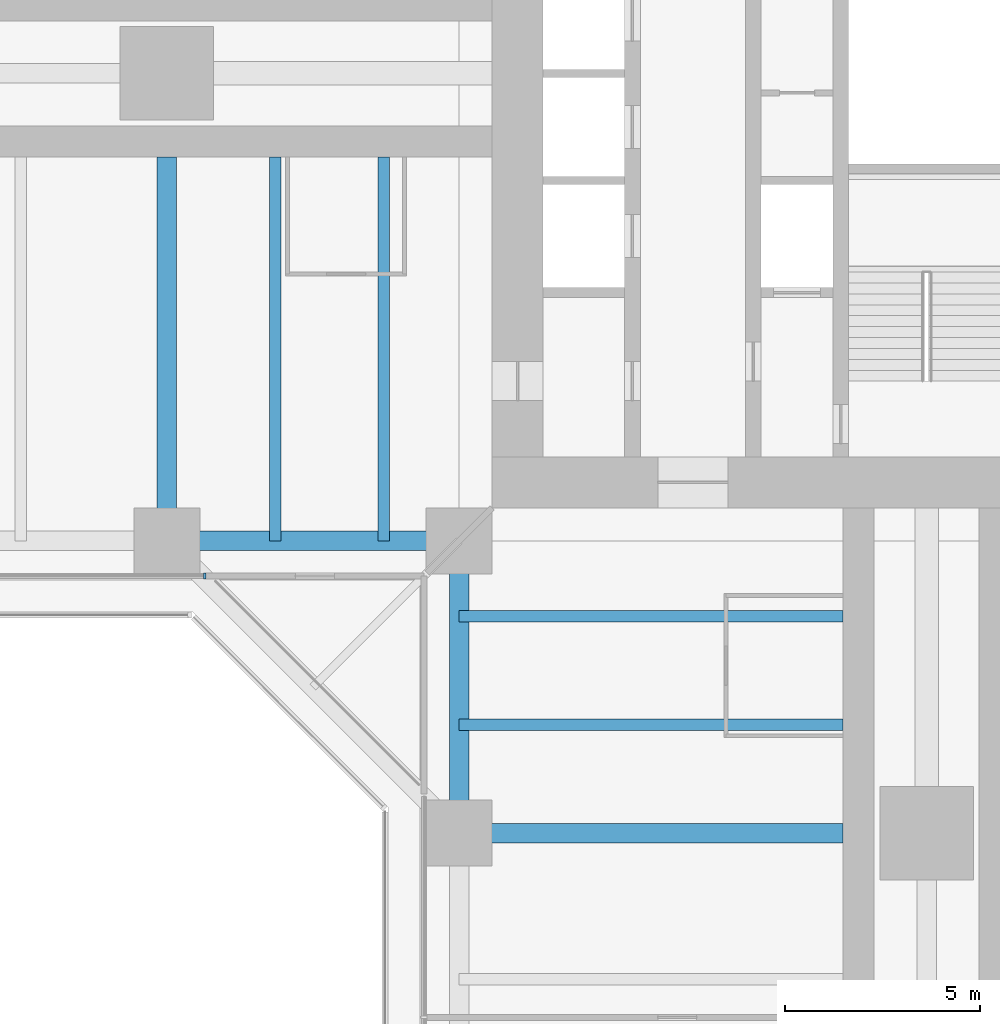
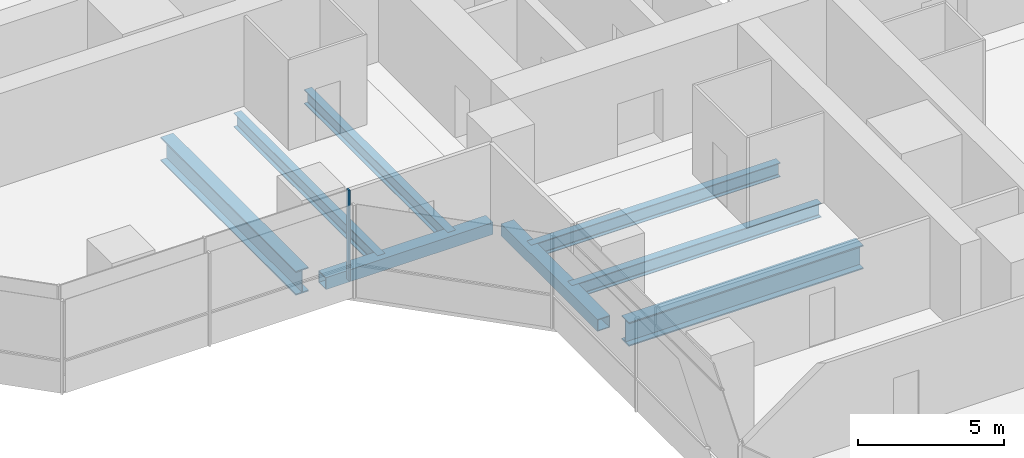
# One storey, part 4 of 22: 8 beams, 1 member, 1 element without a shape of its own.
"""IFC4 building model written with IfcOpenShell, lengths in metres."""

from ifc_helpers import new_model, si_unit, direction, frame, origin, origin_2d, place, context, subcontext, project, spatial, rectangle, hollow_rectangle, i_section, extrude, material, material_profile, profile_set, type_object, element, aggregate, save


model = new_model("IFC4")

# Units and contexts
model_context = context("Model", 3, precision=1e-05, world=origin(), true_north=direction((0.0, 1.0)))
body_context = subcontext(model_context, "Body", "Model", "MODEL_VIEW")
ifc_project = project(units=[si_unit("LENGTHUNIT", "METRE"), si_unit("AREAUNIT", "SQUARE_METRE"), si_unit("VOLUMEUNIT", "CUBIC_METRE"), si_unit("PLANEANGLEUNIT", "RADIAN"), si_unit("MASSUNIT", "GRAM", prefix="KILO")], contexts=[model_context])

# Site, building, storey
site_placement = place(None, origin())
site = spatial("IfcSite", under=ifc_project, at=site_placement, CompositionType="ELEMENT")
building_placement = place(site_placement, origin())
building = spatial("IfcBuilding", under=site, at=building_placement, Name="Mizan Broadcast Tower", CompositionType="ELEMENT")
storey_placement = place(building_placement, frame((0.0, 0.0, 98.10009765625)))
storey = spatial("IfcBuildingStorey", under=building, at=storey_placement, Name="L21", CompositionType="ELEMENT", Elevation=98.10009765625)

# Beams
ifc_material_1 = material(Name="Steel S355", Category="steel")
ifc_material_profile_1 = material_profile(ifc_material_1, hollow_rectangle(XDim=0.5, YDim=0.5, WallThickness=0.030029296875, at=origin_2d()), Name="BOX 500x500x30")
ifc_profile_set_1 = profile_set([ifc_material_profile_1], Name="Steel S355")
beam_type_1 = type_object("IfcBeamType", Name="EDGE BEAM BOX 500x500x30", PredefinedType="SPANDREL", material=ifc_profile_set_1)
for number, where, z_axis, x_axis, name in (
    (1, (-12.449951171875, -12.0, -0.380126953125), (-1.0, 0.0, 0.0), (0.0, -1.0, 0.0), "Edge beam BOX 500x500x30 L21 west arm"),
    (2, (-12.0, -12.449951171875, -0.380126953125), (0.0, -1.0, 0.0), (1.0, 0.0, 0.0), "Edge beam BOX 500x500x30 L21 south arm"),
):
    element("IfcBeam", number, at=place(storey_placement, frame(where, z_axis=z_axis, x_axis=x_axis)), inside=storey, type_object=beam_type_1, Name=name, PredefinedType="SPANDREL", context=body_context, shape_type="SweptSolid", body=[
        extrude(hollow_rectangle(XDim=0.5, YDim=0.5, WallThickness=0.030029296875, at=origin_2d()), origin(), (0.0, 0.0, 1.0), 6.60009765625),
    ])
ifc_material_2 = material(Name="Steel S460", Category="steel")
ifc_material_profile_2 = material_profile(ifc_material_2, i_section(OverallWidth=0.5, OverallDepth=1.0, WebThickness=0.02490234375, FlangeThickness=0.050048828125, at=origin_2d()), Name="WPG 1000x500")
ifc_profile_set_2 = profile_set([ifc_material_profile_2], Name="Steel S460")
beam_type_2 = type_object("IfcBeamType", Name="GIRDER WPG 1000x500", PredefinedType="BEAM", material=ifc_profile_set_2)
for number, where, z_axis, x_axis, name in (
    (3, (-19.5, -11.408935546875, -0.630126953125), (0.0, 1.0, 0.0), (-1.0, 0.0, 0.0), "Girder WPG 1000x500 L21 west arm"),
    (4, (-11.408935546875, -19.5, -0.630126953125), (1.0, 0.0, 0.0), (0.0, 1.0, 0.0), "Girder WPG 1000x500 L21 south arm"),
):
    element("IfcBeam", number, at=place(storey_placement, frame(where, z_axis=z_axis, x_axis=x_axis)), inside=storey, type_object=beam_type_2, Name=name, PredefinedType="BEAM", context=body_context, shape_type="SweptSolid", body=[
        extrude(i_section(OverallWidth=0.5, OverallDepth=1.0, WebThickness=0.02490234375, FlangeThickness=0.050048828125, at=origin_2d()), origin(), (0.0, 0.0, 1.0), 9.259033203125),
    ])

# Curtain wall, member
ifc_material_3 = material(Name="Aluminium framed glazing", Category="aluminium")
curtain_wall_type = type_object("IfcCurtainWallType", Name="INNER SKIN LOW ZONE", PredefinedType="USERDEFINED", material=ifc_material_3)
curtain_wall_placement = place(storey_placement, origin())
curtain_wall = element("IfcCurtainWall", 5, at=curtain_wall_placement, inside=storey, type_object=curtain_wall_type, Name="Inner skin low zone L21 W side", ObjectType="INNER SKIN LOW ZONE", PredefinedType="USERDEFINED")
ifc_material_4 = material(Name="Aluminium, pale anodised", Category="aluminium")
ifc_material_profile_3 = material_profile(ifc_material_4, rectangle(XDim=0.159912109375, YDim=0.06005859375, at=origin_2d()), Name="MULLION 160x60")
ifc_profile_set_3 = profile_set([ifc_material_profile_3], Name="Aluminium, pale anodised")
member_type = type_object("IfcMemberType", Name="INNER SKIN MULLION 60x160", PredefinedType="MULLION", material=ifc_profile_set_3)
member_placement = place(storey_placement, frame((-18.530029296875, -12.89990234375, 0.0), z_axis=(0.0, 0.0, 1.0), x_axis=(0.0, 1.0, 0.0)))
member = element("IfcMember", 6, at=member_placement, type_object=member_type, Name="Inner skin low zone L21 W side mullion 3", PredefinedType="MULLION", context=body_context, shape_type="SweptSolid", body=[
    extrude(rectangle(XDim=0.159912109375, YDim=0.06005859375, at=origin_2d()), origin(), (0.0, 0.0, 1.0), 3.77001953125),
])
aggregate(curtain_wall, [member])

# Beams
ifc_material_5 = material(Name="Steel S355", Category="steel")
ifc_material_profile_4 = material_profile(ifc_material_5, i_section(OverallWidth=0.300048828125, OverallDepth=0.590087890625, WebThickness=0.012939453125, FlangeThickness=0.02490234375, FilletRadius=0.027099609375, at=origin_2d()), Name="HEA 600")
ifc_profile_set_4 = profile_set([ifc_material_profile_4], Name="Steel S355")
beam_type_3 = type_object("IfcBeamType", Name="SECONDARY BEAM HEA 600", PredefinedType="JOIST", material=ifc_profile_set_4)
for number, where, z_axis, x_axis, name in (
    (7, (-13.933349609375, -12.0, -0.425048828125), (0.0, 1.0, 0.0), (-1.0, 0.0, 0.0), "Secondary beam HEA 600 L21 west arm"),
    (8, (-16.716552734375, -12.0, -0.425048828125), (0.0, 1.0, 0.0), (-1.0, 0.0, 0.0), "Secondary beam HEA 600 L21 west arm"),
    (9, (-12.0, -13.933349609375, -0.425048828125), (1.0, 0.0, 0.0), (0.0, 1.0, 0.0), "Secondary beam HEA 600 L21 south arm"),
    (10, (-12.0, -16.716552734375, -0.425048828125), (1.0, 0.0, 0.0), (0.0, 1.0, 0.0), "Secondary beam HEA 600 L21 south arm"),
):
    element("IfcBeam", number, at=place(storey_placement, frame(where, z_axis=z_axis, x_axis=x_axis)), inside=storey, type_object=beam_type_3, Name=name, PredefinedType="JOIST", context=body_context, shape_type="SweptSolid", body=[
        extrude(i_section(OverallWidth=0.300048828125, OverallDepth=0.590087890625, WebThickness=0.012939453125, FlangeThickness=0.02490234375, FilletRadius=0.027099609375, at=origin_2d()), origin(), (0.0, 0.0, 1.0), 9.85009765625),
    ])

save(model, "model.ifc")
